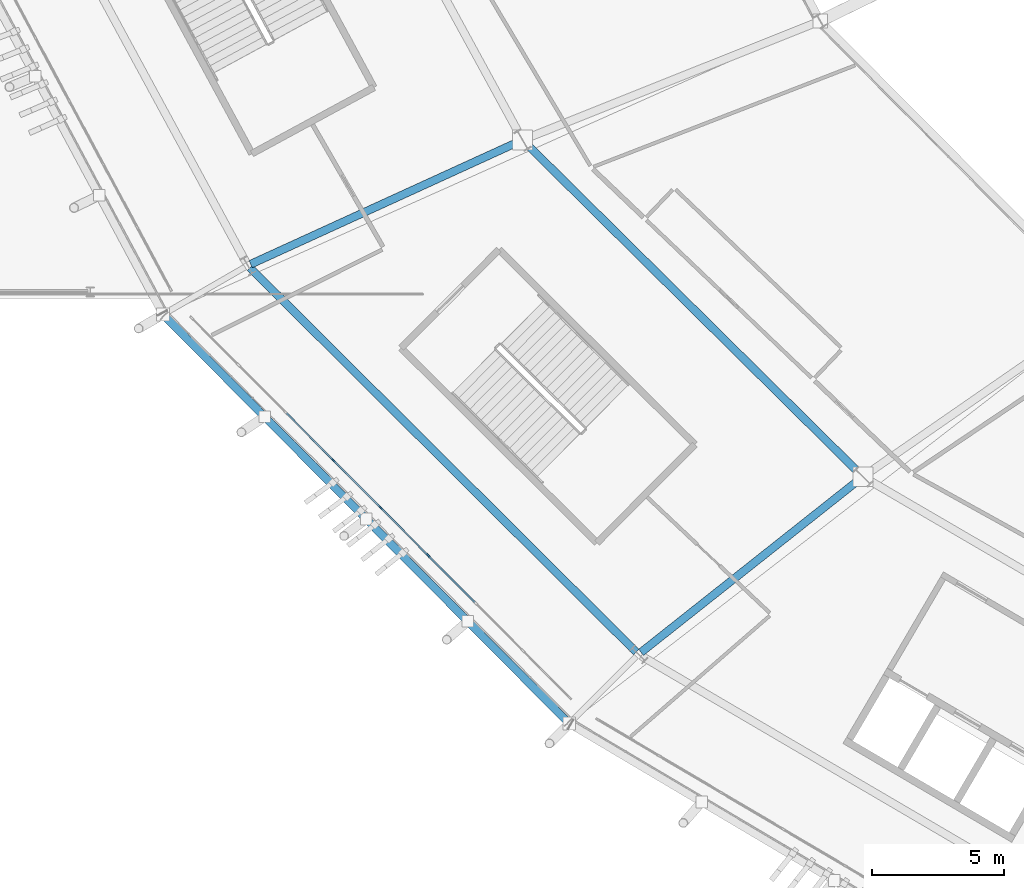
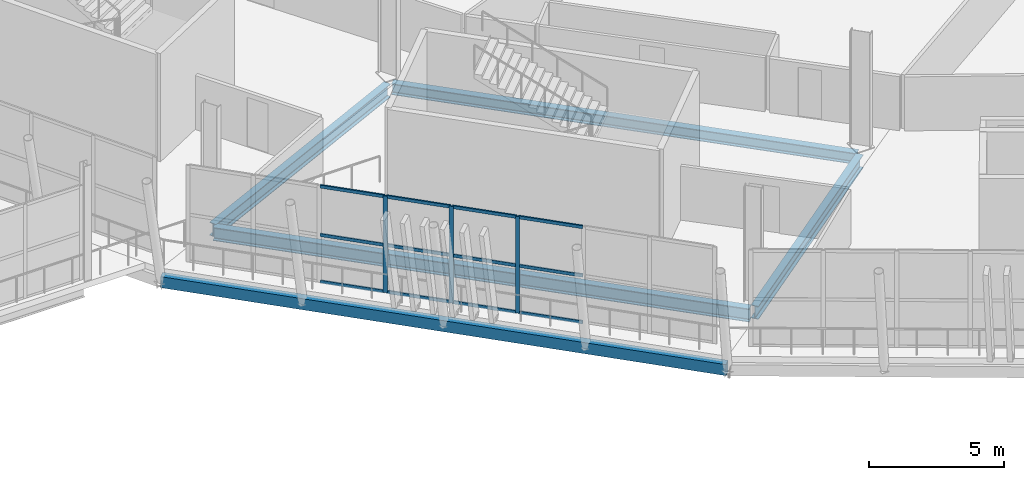
# One storey, part 27 of 168: 15 members, 5 beams, 1 element without a shape of its own.
"""IFC4 building model written with IfcOpenShell, lengths in metres."""

from ifc_helpers import new_model, si_unit, direction, frame, origin, origin_2d, place, context, subcontext, project, spatial, rectangle, hollow_rectangle, i_section, extrude, material, material_profile, profile_set, type_object, element, aggregate, save


model = new_model("IFC4")

# Units and contexts
model_context = context("Model", 3, precision=1e-05, world=origin(), true_north=direction((0.0, 1.0)))
body_context = subcontext(model_context, "Body", "Model", "MODEL_VIEW")
ifc_project = project(units=[si_unit("LENGTHUNIT", "METRE"), si_unit("AREAUNIT", "SQUARE_METRE"), si_unit("VOLUMEUNIT", "CUBIC_METRE"), si_unit("PLANEANGLEUNIT", "RADIAN"), si_unit("MASSUNIT", "GRAM", prefix="KILO")], contexts=[model_context])

# Site, building, storey
site_placement = place(None, origin())
site = spatial("IfcSite", under=ifc_project, at=site_placement, CompositionType="ELEMENT")
building_placement = place(site_placement, origin())
building = spatial("IfcBuilding", under=site, at=building_placement, Name="Zlatoyarsky Gate Stadium", CompositionType="ELEMENT")
storey_placement = place(building_placement, frame((0.0, 0.0, 15.60009765625)))
storey = spatial("IfcBuildingStorey", under=building, at=storey_placement, Name="L03", CompositionType="ELEMENT", Elevation=15.60009765625)

# Curtain wall, members
ifc_material_1 = material(Name="Thermally broken anodised aluminium curtain wall", Category="aluminium")
curtain_wall_type = type_object("IfcCurtainWallType", Name="UNITISED CORPORATE BOX GLAZING L03", PredefinedType="USERDEFINED", material=ifc_material_1)
curtain_wall_placement = place(storey_placement, origin())
curtain_wall = element("IfcCurtainWall", 1, at=curtain_wall_placement, inside=storey, type_object=curtain_wall_type, Name="Curtain wall CW-L03-14", ObjectType="UNITISED GLAZING", PredefinedType="USERDEFINED")
ifc_material_2 = material(Name="Anodised aluminium 6063-T6", Category="aluminium")
ifc_material_profile_1 = material_profile(ifc_material_2, rectangle(XDim=0.06494140625, YDim=0.159912109375, at=origin_2d()), Name="ALU 65X160")
ifc_profile_set_1 = profile_set([ifc_material_profile_1], Name="Anodised aluminium 6063-T6")
member_type_1 = type_object("IfcMemberType", Name="ALUMINIUM MULLION 65X160", PredefinedType="MULLION", material=ifc_profile_set_1)
member_1_placement = place(storey_placement, frame((33.695556640625, 37.13623046875, 0.0), z_axis=(0.0, 0.0, 1.0), x_axis=(0.708721143054, 0.705488725202, 0.0)))
member_1 = element("IfcMember", 2, at=member_1_placement, type_object=member_type_1, Name="CW-UG3 mullion 4", PredefinedType="MULLION", context=body_context, shape_type="SweptSolid", body=[
    extrude(rectangle(XDim=0.06494140625, YDim=0.159912109375, at=origin_2d()), origin(), (0.0, 0.0, 1.0), 4.3798828125),
])
member_2_placement = place(storey_placement, frame((35.488037109375, 35.335693359375, 0.0), z_axis=(0.0, 0.0, 1.0), x_axis=(0.708721143054, 0.705488725202, 0.0)))
member_2 = element("IfcMember", 3, at=member_2_placement, type_object=member_type_1, Name="CW-UG3 mullion 5", PredefinedType="MULLION", context=body_context, shape_type="SweptSolid", body=[
    extrude(rectangle(XDim=0.06494140625, YDim=0.159912109375, at=origin_2d()), origin(), (0.0, 0.0, 1.0), 4.3798828125),
])
member_3_placement = place(storey_placement, frame((37.2802734375, 33.53515625, 0.0), z_axis=(0.0, 0.0, 1.0), x_axis=(0.708721143054, 0.705488725202, 0.0)))
member_3 = element("IfcMember", 4, at=member_3_placement, type_object=member_type_1, Name="CW-UG3 mullion 6", PredefinedType="MULLION", context=body_context, shape_type="SweptSolid", body=[
    extrude(rectangle(XDim=0.06494140625, YDim=0.159912109375, at=origin_2d()), origin(), (0.0, 0.0, 1.0), 4.3798828125),
])
ifc_material_profile_2 = material_profile(ifc_material_2, rectangle(XDim=0.06494140625, YDim=0.139892578125, at=origin_2d()), Name="ALU 65X140")
ifc_profile_set_2 = profile_set([ifc_material_profile_2], Name="Anodised aluminium 6063-T6")
member_type_2 = type_object("IfcMemberType", Name="ALUMINIUM TRANSOM 65X140", PredefinedType="USERDEFINED", material=ifc_profile_set_2)
member_4_placement = place(storey_placement, frame((31.926025390625, 38.913818359375, 0.032470703125), z_axis=(0.705527101456, -0.708682939763, 0.0), x_axis=(0.708682939763, 0.705527101456, 0.0)))
member_4 = element("IfcMember", 5, at=member_4_placement, type_object=member_type_2, Name="CW-UG3 transom 3.1", ObjectType="TRANSOM", PredefinedType="USERDEFINED", context=body_context, shape_type="SweptSolid", body=[
    extrude(rectangle(XDim=0.06494140625, YDim=0.139892578125, at=origin_2d()), origin(), (0.0, 0.0, 1.0), 2.4755859375),
])
member_5_placement = place(storey_placement, frame((31.926025390625, 38.913818359375, 2.14990234375), z_axis=(0.705527101456, -0.708682939763, 0.0), x_axis=(0.708682939763, 0.705527101456, 0.0)))
member_5 = element("IfcMember", 6, at=member_5_placement, type_object=member_type_2, Name="CW-UG3 transom 3.2", ObjectType="TRANSOM", PredefinedType="USERDEFINED", context=body_context, shape_type="SweptSolid", body=[
    extrude(rectangle(XDim=0.06494140625, YDim=0.139892578125, at=origin_2d()), origin(), (0.0, 0.0, 1.0), 2.4755859375),
])
member_6_placement = place(storey_placement, frame((31.926025390625, 38.913818359375, 4.347412109375), z_axis=(0.705527101456, -0.708682939763, 0.0), x_axis=(0.708682939763, 0.705527101456, 0.0)))
member_6 = element("IfcMember", 7, at=member_6_placement, type_object=member_type_2, Name="CW-UG3 transom 3.3", ObjectType="TRANSOM", PredefinedType="USERDEFINED", context=body_context, shape_type="SweptSolid", body=[
    extrude(rectangle(XDim=0.06494140625, YDim=0.139892578125, at=origin_2d()), origin(), (0.0, 0.0, 1.0), 2.4755859375),
])
member_7_placement = place(storey_placement, frame((33.718505859375, 37.11328125, 0.032470703125), z_axis=(0.705477793712, -0.708732024519, 0.0), x_axis=(0.708732024519, 0.705477793712, 0.0)))
member_7 = element("IfcMember", 8, at=member_7_placement, type_object=member_type_2, Name="CW-UG3 transom 4.1", ObjectType="TRANSOM", PredefinedType="USERDEFINED", context=body_context, shape_type="SweptSolid", body=[
    extrude(rectangle(XDim=0.06494140625, YDim=0.139892578125, at=origin_2d()), origin(), (0.0, 0.0, 1.0), 2.475830078125),
])
member_8_placement = place(storey_placement, frame((33.718505859375, 37.11328125, 2.14990234375), z_axis=(0.705477793712, -0.708732024519, 0.0), x_axis=(0.708732024519, 0.705477793712, 0.0)))
member_8 = element("IfcMember", 9, at=member_8_placement, type_object=member_type_2, Name="CW-UG3 transom 4.2", ObjectType="TRANSOM", PredefinedType="USERDEFINED", context=body_context, shape_type="SweptSolid", body=[
    extrude(rectangle(XDim=0.06494140625, YDim=0.139892578125, at=origin_2d()), origin(), (0.0, 0.0, 1.0), 2.475830078125),
])
member_9_placement = place(storey_placement, frame((33.718505859375, 37.11328125, 4.347412109375), z_axis=(0.705477793712, -0.708732024519, 0.0), x_axis=(0.708732024519, 0.705477793712, 0.0)))
member_9 = element("IfcMember", 10, at=member_9_placement, type_object=member_type_2, Name="CW-UG3 transom 4.3", ObjectType="TRANSOM", PredefinedType="USERDEFINED", context=body_context, shape_type="SweptSolid", body=[
    extrude(rectangle(XDim=0.06494140625, YDim=0.139892578125, at=origin_2d()), origin(), (0.0, 0.0, 1.0), 2.475830078125),
])
member_10_placement = place(storey_placement, frame((35.510986328125, 35.312744140625, 0.032470703125), z_axis=(0.705428255099, -0.708781332223, 0.0), x_axis=(0.708781332223, 0.705428255099, 0.0)))
member_10 = element("IfcMember", 11, at=member_10_placement, type_object=member_type_2, Name="CW-UG3 transom 5.1", ObjectType="TRANSOM", PredefinedType="USERDEFINED", context=body_context, shape_type="SweptSolid", body=[
    extrude(rectangle(XDim=0.06494140625, YDim=0.139892578125, at=origin_2d()), origin(), (0.0, 0.0, 1.0), 2.4755859375),
])
member_11_placement = place(storey_placement, frame((35.510986328125, 35.312744140625, 2.14990234375), z_axis=(0.705428255099, -0.708781332223, 0.0), x_axis=(0.708781332223, 0.705428255099, 0.0)))
member_11 = element("IfcMember", 12, at=member_11_placement, type_object=member_type_2, Name="CW-UG3 transom 5.2", ObjectType="TRANSOM", PredefinedType="USERDEFINED", context=body_context, shape_type="SweptSolid", body=[
    extrude(rectangle(XDim=0.06494140625, YDim=0.139892578125, at=origin_2d()), origin(), (0.0, 0.0, 1.0), 2.4755859375),
])
member_12_placement = place(storey_placement, frame((35.510986328125, 35.312744140625, 4.347412109375), z_axis=(0.705428255099, -0.708781332223, 0.0), x_axis=(0.708781332223, 0.705428255099, 0.0)))
member_12 = element("IfcMember", 13, at=member_12_placement, type_object=member_type_2, Name="CW-UG3 transom 5.3", ObjectType="TRANSOM", PredefinedType="USERDEFINED", context=body_context, shape_type="SweptSolid", body=[
    extrude(rectangle(XDim=0.06494140625, YDim=0.139892578125, at=origin_2d()), origin(), (0.0, 0.0, 1.0), 2.4755859375),
])
member_13_placement = place(storey_placement, frame((37.30322265625, 33.511962890625, 0.032470703125), z_axis=(0.705527101456, -0.708682939763, 0.0), x_axis=(0.708682939763, 0.705527101456, 0.0)))
member_13 = element("IfcMember", 14, at=member_13_placement, type_object=member_type_2, Name="CW-UG3 transom 6.1", ObjectType="TRANSOM", PredefinedType="USERDEFINED", context=body_context, shape_type="SweptSolid", body=[
    extrude(rectangle(XDim=0.06494140625, YDim=0.139892578125, at=origin_2d()), origin(), (0.0, 0.0, 1.0), 2.4755859375),
])
member_14_placement = place(storey_placement, frame((37.30322265625, 33.511962890625, 2.14990234375), z_axis=(0.705527101456, -0.708682939763, 0.0), x_axis=(0.708682939763, 0.705527101456, 0.0)))
member_14 = element("IfcMember", 15, at=member_14_placement, type_object=member_type_2, Name="CW-UG3 transom 6.2", ObjectType="TRANSOM", PredefinedType="USERDEFINED", context=body_context, shape_type="SweptSolid", body=[
    extrude(rectangle(XDim=0.06494140625, YDim=0.139892578125, at=origin_2d()), origin(), (0.0, 0.0, 1.0), 2.4755859375),
])
member_15_placement = place(storey_placement, frame((37.30322265625, 33.511962890625, 4.347412109375), z_axis=(0.705527101456, -0.708682939763, 0.0), x_axis=(0.708682939763, 0.705527101456, 0.0)))
member_15 = element("IfcMember", 16, at=member_15_placement, type_object=member_type_2, Name="CW-UG3 transom 6.3", ObjectType="TRANSOM", PredefinedType="USERDEFINED", context=body_context, shape_type="SweptSolid", body=[
    extrude(rectangle(XDim=0.06494140625, YDim=0.139892578125, at=origin_2d()), origin(), (0.0, 0.0, 1.0), 2.4755859375),
])
aggregate(curtain_wall, [member_1, member_2, member_3, member_4, member_5, member_6, member_7, member_8, member_9, member_10, member_11, member_12, member_13, member_14, member_15])

# Beams
ifc_material_3 = material(Name="Steel S355", Category="steel")
ifc_material_profile_3 = material_profile(ifc_material_3, hollow_rectangle(XDim=0.300048828125, YDim=0.5, WallThickness=0.02001953125, at=origin_2d()), Name="RHS 500X300X20")
ifc_profile_set_3 = profile_set([ifc_material_profile_3], Name="Steel S355")
beam_type_1 = type_object("IfcBeamType", Name="STEEL LOUVRE CARRIER SPANDREL RHS 500X300X20", PredefinedType="SPANDREL", material=ifc_profile_set_3)
beam_1_placement = place(storey_placement, frame((27.267578125, 42.634765625, -0.530029296875), z_axis=(0.704730557103, -0.709475046697, 0.0), x_axis=(0.709475046697, 0.704730557103, 0.0)))
element("IfcBeam", 17, at=beam_1_placement, inside=storey, type_object=beam_type_1, Name="Beam SP-RHS500 BM-L03-SPD-14", PredefinedType="SPANDREL", context=body_context, shape_type="SweptSolid", body=[
    extrude(hollow_rectangle(XDim=0.300048828125, YDim=0.5, WallThickness=0.02001953125, at=origin_2d()), origin(), (0.0, 0.0, 1.0), 21.7666015625),
])
ifc_material_profile_4 = material_profile(ifc_material_3, i_section(OverallWidth=0.300048828125, OverallDepth=0.5, WebThickness=0.014404296875, FlangeThickness=0.028076171875, FilletRadius=0.027099609375, at=origin_2d()), Name="HEB 500")
ifc_profile_set_4 = profile_set([ifc_material_profile_4], Name="Steel S355")
beam_type_2 = type_object("IfcBeamType", Name="STEEL PRIMARY GIRDER HEB 500", PredefinedType="BEAM", material=ifc_profile_set_4)
beam_2_placement = place(storey_placement, frame((40.937255859375, 49.16552734375, -0.530029296875), z_axis=(0.710840510009, -0.703353232259, 0.0), x_axis=(0.703353232259, 0.710840510009, 0.0)))
element("IfcBeam", 18, at=beam_2_placement, inside=storey, type_object=beam_type_2, Name="Beam G-HEB500 BM-L03-CRB-14", PredefinedType="BEAM", context=body_context, shape_type="SweptSolid", body=[
    extrude(i_section(OverallWidth=0.300048828125, OverallDepth=0.5, WebThickness=0.014404296875, FlangeThickness=0.028076171875, FilletRadius=0.027099609375, at=origin_2d()), origin(), (0.0, 0.0, 1.0), 17.868896484375),
])
ifc_material_profile_5 = material_profile(ifc_material_3, i_section(OverallWidth=0.300048828125, OverallDepth=0.60009765625, WebThickness=0.015380859375, FlangeThickness=0.030029296875, FilletRadius=0.027099609375, at=origin_2d()), Name="HEB 600")
ifc_profile_set_5 = profile_set([ifc_material_profile_5], Name="Steel S355")
beam_type_3 = type_object("IfcBeamType", Name="STEEL PRIMARY GIRDER HEB 600", PredefinedType="BEAM", material=ifc_profile_set_5)
beam_3_placement = place(storey_placement, frame((40.742919921875, 49.2001953125, -0.580078125), z_axis=(-0.909498994842, -0.415706120213, 0.0), x_axis=(0.415706120213, -0.909498994842, 0.0)))
element("IfcBeam", 19, at=beam_3_placement, inside=storey, type_object=beam_type_3, Name="Beam G-HEB600 BM-L03-RBC-14", PredefinedType="BEAM", context=body_context, shape_type="SweptSolid", body=[
    extrude(i_section(OverallWidth=0.300048828125, OverallDepth=0.60009765625, WebThickness=0.015380859375, FlangeThickness=0.030029296875, FilletRadius=0.027099609375, at=origin_2d()), origin(), (0.0, 0.0, 1.0), 11.186767578125),
])
beam_4_placement = place(storey_placement, frame((30.544677734375, 44.415283203125, -0.580078125), z_axis=(0.708899260134, -0.705309746835, 0.0), x_axis=(0.705309746835, 0.708899260134, 0.0)))
element("IfcBeam", 20, at=beam_4_placement, inside=storey, type_object=beam_type_3, Name="Beam G-HEB600 BM-L03-CRC-14", PredefinedType="BEAM", context=body_context, shape_type="SweptSolid", body=[
    extrude(i_section(OverallWidth=0.300048828125, OverallDepth=0.60009765625, WebThickness=0.015380859375, FlangeThickness=0.030029296875, FilletRadius=0.027099609375, at=origin_2d()), origin(), (0.0, 0.0, 1.0), 20.608642578125),
])
beam_5_placement = place(storey_placement, frame((53.63037109375, 36.4384765625, -0.580078125), z_axis=(-0.78404348542, -0.620705898933, 0.0), x_axis=(0.620705898933, -0.78404348542, 0.0)))
element("IfcBeam", 21, at=beam_5_placement, inside=storey, type_object=beam_type_3, Name="Beam G-HEB600 BM-L03-RBC-15", PredefinedType="BEAM", context=body_context, shape_type="SweptSolid", body=[
    extrude(i_section(OverallWidth=0.300048828125, OverallDepth=0.60009765625, WebThickness=0.015380859375, FlangeThickness=0.030029296875, FilletRadius=0.027099609375, at=origin_2d()), origin(), (0.0, 0.0, 1.0), 10.58251953125),
])

save(model, "model.ifc")
